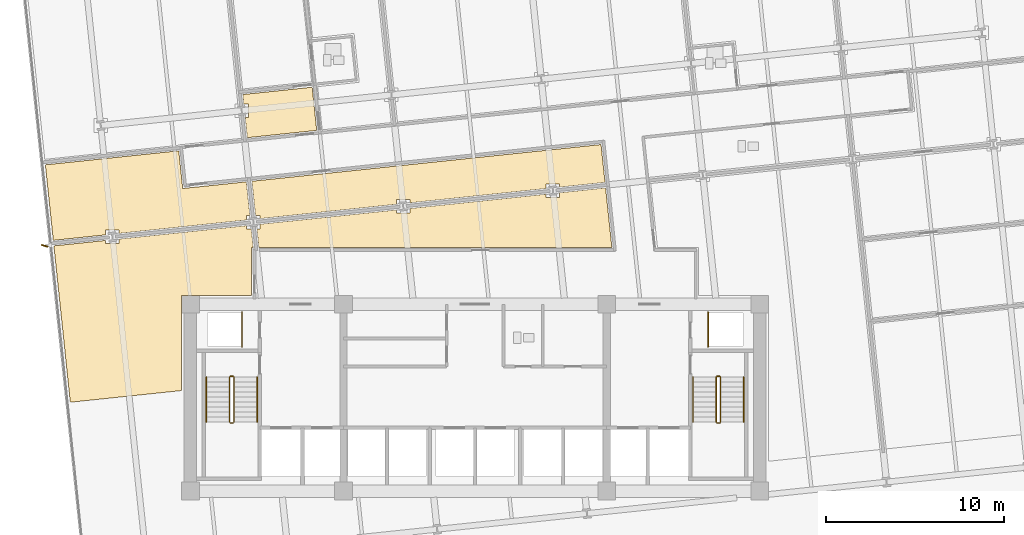
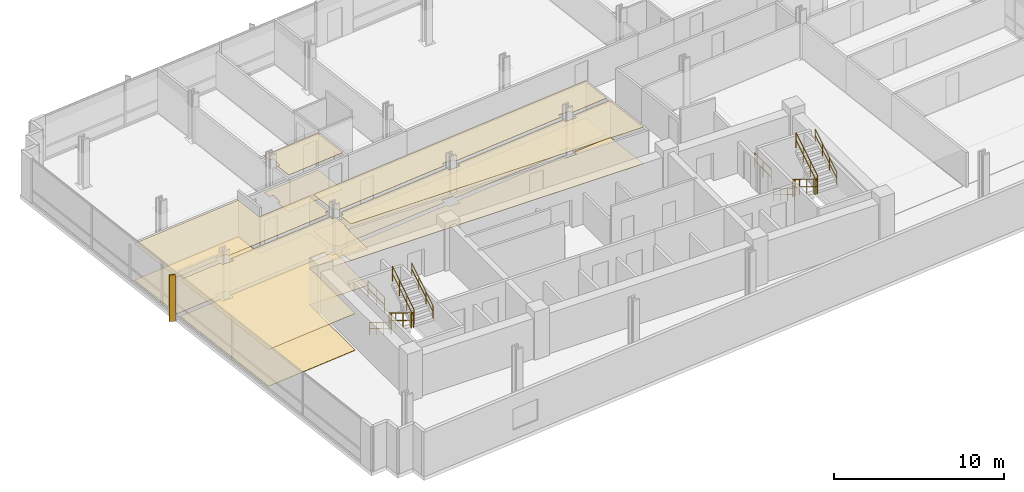
# One storey, part 17 of 21: 14 railings, 10 coverings, 1 shading device.
"""IFC4 building model written with IfcOpenShell, lengths in metres."""

from ifc_helpers import new_model, si_unit, direction, frame, origin, origin_2d, place, context, subcontext, project, spatial, polyline, rectangle, circle, outline, extrude, material, layer, layer_set, type_object, element, save


model = new_model("IFC4")

# Units and contexts
model_context = context("Model", 3, precision=1e-05, world=origin(), true_north=direction((0.0, 1.0)))
body_context = subcontext(model_context, "Body", "Model", "MODEL_VIEW")
ifc_project = project(units=[si_unit("LENGTHUNIT", "METRE"), si_unit("AREAUNIT", "SQUARE_METRE"), si_unit("VOLUMEUNIT", "CUBIC_METRE"), si_unit("PLANEANGLEUNIT", "RADIAN"), si_unit("MASSUNIT", "GRAM", prefix="KILO")], contexts=[model_context])

# Site, building, storey
site_placement = place(None, origin())
site = spatial("IfcSite", under=ifc_project, at=site_placement, CompositionType="ELEMENT")
building_placement = place(site_placement, origin())
building = spatial("IfcBuilding", under=site, at=building_placement, Name="Solmavex Isthmus Hotel", CompositionType="ELEMENT")
storey_placement = place(building_placement, frame((0.0, 0.0, 106.35009765625)))
storey = spatial("IfcBuildingStorey", under=building, at=storey_placement, Name="L28", CompositionType="ELEMENT", Elevation=106.35009765625)

# Coverings
ifc_material_1 = material(Name="Gypsum plasterboard lining", Category="gypsum")
ifc_layer_1 = layer(ifc_material_1, 0.030029296875)
ifc_layer_set_1 = layer_set([ifc_layer_1], Name="Gypsum plasterboard lining")
covering_type_1 = type_object("IfcCoveringType", Name="COV-CEIL-GYP", PredefinedType="CEILING", material=ifc_layer_set_1)
covering_1_placement = place(storey_placement, frame((0.0, 0.0, 2.619873046875)))
element("IfcCovering", 1, at=covering_1_placement, inside=storey, type_object=covering_type_1, Name="Suspended Acoustic Ceiling L28-SL02-FY", PredefinedType="CEILING", context=body_context, shape_type="SweptSolid", body=[
    extrude(outline(polyline([(-13.001220703125, 8.76220703125), (-12.737060546875, 8.76220703125), (-12.737060546875, 8.002197265625), (-12.92138671875, 8.002197265625), (-12.8017578125, 6.86376953125), (-8.900146484375, 7.27392578125), (-9.1552734375, 9.700439453125), (-13.056640625, 9.29052734375), (-13.001220703125, 8.76220703125)])), origin(), (0.0, 0.0, 1.0), 0.030029296875),
])
covering_2_placement = place(storey_placement, frame((0.0, 0.0, 2.619873046875)))
element("IfcCovering", 2, at=covering_2_placement, inside=storey, type_object=covering_type_1, Name="Suspended Acoustic Ceiling L28-FL07", PredefinedType="CEILING", context=body_context, shape_type="SweptSolid", body=[
    extrude(outline(polyline([(-12.8388671875, 2.234619140625), (-12.8388671875, 2.49853515625), (-12.654541015625, 2.49853515625), (-12.852783203125, 4.384765625), (-16.43310546875, 4.008544921875), (-16.65576171875, 6.126953125), (-24.15234375, 5.3388671875), (-23.7060546875, 1.09228515625), (-20.76318359375, 1.401611328125), (-20.76318359375, 1.665771484375), (-20.003173828125, 1.665771484375), (-20.003173828125, 1.4814453125), (-12.8388671875, 2.234619140625)])), origin(), (0.0, 0.0, 1.0), 0.030029296875),
])
covering_3_placement = place(storey_placement, frame((0.0, 0.0, 2.619873046875)))
element("IfcCovering", 3, at=covering_3_placement, inside=storey, type_object=covering_type_1, Name="Suspended Acoustic Ceiling L28-FL09", PredefinedType="CEILING", context=body_context, shape_type="SweptSolid", body=[
    extrude(outline(polyline([(4.00048828125, 4.00439453125), (4.00048828125, 4.2685546875), (4.760498046875, 4.2685546875), (4.760498046875, 4.084228515625), (7.30615234375, 4.351806640625), (7.082275390625, 6.480224609375), (-12.54443359375, 4.417236328125), (-12.3427734375, 2.49853515625), (-12.078857421875, 2.49853515625), (-12.078857421875, 2.314453125), (-4.419189453125, 3.119384765625), (-4.419189453125, 3.383544921875), (-3.6591796875, 3.383544921875), (-3.6591796875, 3.199462890625), (4.00048828125, 4.00439453125)])), origin(), (0.0, 0.0, 1.0), 0.030029296875),
])
covering_4_placement = place(storey_placement, frame((0.0, 0.0, 2.619873046875)))
element("IfcCovering", 4, at=covering_4_placement, inside=storey, type_object=covering_type_1, Name="Suspended Acoustic Ceiling L28-FL12", PredefinedType="CEILING", context=body_context, shape_type="SweptSolid", body=[
    extrude(outline(polyline([(-12.078857421875, 2.002685546875), (-12.078857421875, 1.738525390625), (-12.262939453125, 1.738525390625), (-12.154296875, 0.705078125), (7.689453125, 0.705078125), (7.33837890625, 4.04345703125), (4.760498046875, 3.7724609375), (4.760498046875, 3.508544921875), (4.00048828125, 3.508544921875), (4.00048828125, 3.692626953125), (-3.6591796875, 2.8876953125), (-3.6591796875, 2.62353515625), (-4.419189453125, 2.62353515625), (-4.419189453125, 2.807861328125), (-12.078857421875, 2.002685546875)])), origin(), (0.0, 0.0, 1.0), 0.030029296875),
])
covering_5_placement = place(storey_placement, frame((0.0, 0.0, 2.619873046875)))
element("IfcCovering", 5, at=covering_5_placement, inside=storey, type_object=covering_type_1, Name="Suspended Acoustic Ceiling L28-FL13", PredefinedType="CEILING", context=body_context, shape_type="SweptSolid", body=[
    extrude(outline(polyline([(-20.003173828125, 1.169921875), (-20.003173828125, 0.90576171875), (-20.76318359375, 0.90576171875), (-20.76318359375, 1.08984375), (-23.673583984375, 0.783935546875), (-23.21435546875, -3.5869140625), (-22.749755859375, -8.007568359375), (-16.5048828125, -7.351318359375), (-16.5048828125, -1.9951171875), (-12.554931640625, -1.9951171875), (-12.554931640625, 0.705078125), (-12.466064453125, 0.705078125), (-12.57470703125, 1.738525390625), (-12.8388671875, 1.738525390625), (-12.8388671875, 1.9228515625), (-20.003173828125, 1.169921875)])), origin(), (0.0, 0.0, 1.0), 0.030029296875),
])
ifc_material_2 = material(Name="Travertine natural stone", Category="masonry")
ifc_layer_2 = layer(ifc_material_2, 0.02490234375)
ifc_layer_set_2 = layer_set([ifc_layer_2], Name="Travertine natural stone")
covering_type_2 = type_object("IfcCoveringType", Name="COV-FLOR-STN", PredefinedType="FLOORING", material=ifc_layer_set_2)
covering_6_placement = place(storey_placement, origin())
element("IfcCovering", 6, at=covering_6_placement, inside=storey, type_object=covering_type_2, Name="Stone and Timber Floor Finish L28-SL02-FY", PredefinedType="FLOORING", context=body_context, shape_type="SweptSolid", body=[
    extrude(outline(polyline([(-13.001220703125, 8.76220703125), (-12.737060546875, 8.76220703125), (-12.737060546875, 8.002197265625), (-12.92138671875, 8.002197265625), (-12.8017578125, 6.86376953125), (-8.900146484375, 7.27392578125), (-9.1552734375, 9.700439453125), (-13.056640625, 9.29052734375), (-13.001220703125, 8.76220703125)])), origin(), (0.0, 0.0, 1.0), 0.02490234375),
])
covering_7_placement = place(storey_placement, origin())
element("IfcCovering", 7, at=covering_7_placement, inside=storey, type_object=covering_type_2, Name="Stone and Timber Floor Finish L28-FL07", PredefinedType="FLOORING", context=body_context, shape_type="SweptSolid", body=[
    extrude(outline(polyline([(-12.8388671875, 2.234619140625), (-12.8388671875, 2.49853515625), (-12.654541015625, 2.49853515625), (-12.852783203125, 4.384765625), (-16.43310546875, 4.008544921875), (-16.65576171875, 6.126953125), (-24.15234375, 5.3388671875), (-23.7060546875, 1.09228515625), (-20.76318359375, 1.401611328125), (-20.76318359375, 1.665771484375), (-20.003173828125, 1.665771484375), (-20.003173828125, 1.4814453125), (-12.8388671875, 2.234619140625)])), origin(), (0.0, 0.0, 1.0), 0.02490234375),
])
covering_8_placement = place(storey_placement, origin())
element("IfcCovering", 8, at=covering_8_placement, inside=storey, type_object=covering_type_2, Name="Stone and Timber Floor Finish L28-FL09", PredefinedType="FLOORING", context=body_context, shape_type="SweptSolid", body=[
    extrude(outline(polyline([(4.00048828125, 4.00439453125), (4.00048828125, 4.2685546875), (4.760498046875, 4.2685546875), (4.760498046875, 4.084228515625), (7.30615234375, 4.351806640625), (7.082275390625, 6.480224609375), (-12.54443359375, 4.417236328125), (-12.3427734375, 2.49853515625), (-12.078857421875, 2.49853515625), (-12.078857421875, 2.314453125), (-4.419189453125, 3.119384765625), (-4.419189453125, 3.383544921875), (-3.6591796875, 3.383544921875), (-3.6591796875, 3.199462890625), (4.00048828125, 4.00439453125)])), origin(), (0.0, 0.0, 1.0), 0.02490234375),
])
covering_9_placement = place(storey_placement, origin())
element("IfcCovering", 9, at=covering_9_placement, inside=storey, type_object=covering_type_2, Name="Stone and Timber Floor Finish L28-FL12", PredefinedType="FLOORING", context=body_context, shape_type="SweptSolid", body=[
    extrude(outline(polyline([(-12.078857421875, 2.002685546875), (-12.078857421875, 1.738525390625), (-12.262939453125, 1.738525390625), (-12.154296875, 0.705078125), (7.689453125, 0.705078125), (7.33837890625, 4.04345703125), (4.760498046875, 3.7724609375), (4.760498046875, 3.508544921875), (4.00048828125, 3.508544921875), (4.00048828125, 3.692626953125), (-3.6591796875, 2.8876953125), (-3.6591796875, 2.62353515625), (-4.419189453125, 2.62353515625), (-4.419189453125, 2.807861328125), (-12.078857421875, 2.002685546875)])), origin(), (0.0, 0.0, 1.0), 0.02490234375),
])
covering_10_placement = place(storey_placement, origin())
element("IfcCovering", 10, at=covering_10_placement, inside=storey, type_object=covering_type_2, Name="Stone and Timber Floor Finish L28-FL13", PredefinedType="FLOORING", context=body_context, shape_type="SweptSolid", body=[
    extrude(outline(polyline([(-20.003173828125, 1.169921875), (-20.003173828125, 0.90576171875), (-20.76318359375, 0.90576171875), (-20.76318359375, 1.08984375), (-23.673583984375, 0.783935546875), (-23.21435546875, -3.5869140625), (-22.749755859375, -8.007568359375), (-16.5048828125, -7.351318359375), (-16.5048828125, -1.9951171875), (-12.554931640625, -1.9951171875), (-12.554931640625, 0.705078125), (-12.466064453125, 0.705078125), (-12.57470703125, 1.738525390625), (-12.8388671875, 1.738525390625), (-12.8388671875, 1.9228515625), (-20.003173828125, 1.169921875)])), origin(), (0.0, 0.0, 1.0), 0.02490234375),
])

# Railings
ifc_material_3 = material(Name="Clear low-E laminated glass", Category="glass")
ifc_layer_3 = layer(ifc_material_3, 0.080078125)
ifc_layer_set_3 = layer_set([ifc_layer_3], Name="Clear low-E laminated glass")
railing_type_1 = type_object("IfcRailingType", Name="RAIL-ATRIUM-1120", PredefinedType="BALUSTRADE", material=ifc_layer_set_3)
for number, where, name in (
    (11, (-13.10009765625, -4.89990234375, 0.0), "Guardrail Balustrade L28-RSW-01"),
    (12, (13.10009765625, -4.89990234375, 0.0), "Guardrail Balustrade L28-RSE-01"),
):
    element("IfcRailing", number, at=place(storey_placement, frame(where)), inside=storey, type_object=railing_type_1, Name=name, PredefinedType="BALUSTRADE", context=body_context, shape_type="SweptSolid", body=[
        extrude(circle(Radius=0.02392578125, at=origin_2d()), frame((0.0, 0.0, 1.1259765625), z_axis=(0.0, 1.0, 0.0), x_axis=(-1.0, 0.0, 0.0)), (0.0, 0.0, 1.0), 1.949951171875),
        extrude(circle(Radius=0.02392578125, at=origin_2d()), frame((0.0, 0.0, 0.574951171875), z_axis=(0.0, 1.0, 0.0), x_axis=(-1.0, 0.0, 0.0)), (0.0, 0.0, 1.0), 1.949951171875),
        extrude(circle(Radius=0.02099609375, at=origin_2d()), origin(), (0.0, 0.0, 1.0), 1.101806640625),
        extrude(circle(Radius=0.02099609375, at=origin_2d()), frame((0.0, 0.97509765625, 0.0)), (0.0, 0.0, 1.0), 1.101806640625),
        extrude(circle(Radius=0.02099609375, at=origin_2d()), frame((0.0, 1.949951171875, 0.0)), (0.0, 0.0, 1.0), 1.101806640625),
    ])
ifc_material_4 = material(Name="Stainless steel 316", Category="steel")
ifc_layer_4 = layer(ifc_material_4, 0.06005859375)
ifc_layer_set_4 = layer_set([ifc_layer_4], Name="Stainless steel 316")
railing_type_2 = type_object("IfcRailingType", Name="RAIL-STAIR-GD", PredefinedType="GUARDRAIL", material=ifc_layer_set_4)
railing_1_placement = place(storey_placement, frame((-13.800048828125, -6.60009765625, 0.17236328125)))
element("IfcRailing", 13, at=railing_1_placement, inside=storey, type_object=railing_type_2, Name="L28 ST-1 stair guard 1", PredefinedType="GUARDRAIL", context=body_context, shape_type="SweptSolid", body=[
    extrude(circle(Radius=0.02392578125, at=origin_2d()), frame((0.0, 0.0, 1.09619140625), z_axis=(0.0, -0.851400495292, 0.524516154772), x_axis=(1.0, 0.0, 0.0)), (0.0, 0.0, 1.0), 2.9599609375),
    extrude(circle(Radius=0.02392578125, at=origin_2d()), frame((0.0, 0.0, 0.56005859375), z_axis=(0.0, -0.851400495292, 0.524516154772), x_axis=(1.0, 0.0, 0.0)), (0.0, 0.0, 1.0), 2.9599609375),
    extrude(circle(Radius=0.02099609375, at=origin_2d()), origin(), (0.0, 0.0, 1.0), 1.072021484375),
    extrude(circle(Radius=0.02099609375, at=origin_2d()), frame((0.0, -0.840087890625, 0.517578125)), (0.0, 0.0, 1.0), 1.072021484375),
    extrude(circle(Radius=0.02099609375, at=origin_2d()), frame((0.0, -1.679931640625, 1.034912109375)), (0.0, 0.0, 1.0), 1.072021484375),
    extrude(circle(Radius=0.02099609375, at=origin_2d()), frame((0.0, -2.52001953125, 1.552490234375)), (0.0, 0.0, 1.0), 1.072021484375),
])
railing_2_placement = place(storey_placement, frame((-13.75, -9.169921875, 1.724853515625)))
element("IfcRailing", 14, at=railing_2_placement, inside=storey, type_object=railing_type_2, Name="L28 ST-1 stair guard 2", PredefinedType="GUARDRAIL", context=body_context, shape_type="SweptSolid", body=[
    extrude(circle(Radius=0.02392578125, at=origin_2d()), frame((0.0, 0.0, 1.09619140625), z_axis=(1.0, 0.0, 0.0), x_axis=(0.0, 1.0, 0.0)), (0.0, 0.0, 1.0), 0.14990234375),
    extrude(circle(Radius=0.02392578125, at=origin_2d()), frame((0.0, 0.0, 0.56005859375), z_axis=(1.0, 0.0, 0.0), x_axis=(0.0, 1.0, 0.0)), (0.0, 0.0, 1.0), 0.14990234375),
    extrude(circle(Radius=0.02099609375, at=origin_2d()), origin(), (0.0, 0.0, 1.0), 1.072021484375),
    extrude(circle(Radius=0.02099609375, at=origin_2d()), frame((0.14990234375, 0.0, 0.0)), (0.0, 0.0, 1.0), 1.072021484375),
])
railing_3_placement = place(storey_placement, frame((-13.550048828125, -9.1201171875, 1.8974609375)))
element("IfcRailing", 15, at=railing_3_placement, inside=storey, type_object=railing_type_2, Name="L28 ST-1 stair guard 3", PredefinedType="GUARDRAIL", context=body_context, shape_type="SweptSolid", body=[
    extrude(circle(Radius=0.02392578125, at=origin_2d()), frame((0.0, 0.0, 1.09619140625), z_axis=(0.0, 0.851400495292, 0.524516154772), x_axis=(-1.0, 0.0, 0.0)), (0.0, 0.0, 1.0), 2.9599609375),
    extrude(circle(Radius=0.02392578125, at=origin_2d()), frame((0.0, 0.0, 0.56005859375), z_axis=(0.0, 0.851400495292, 0.524516154772), x_axis=(-1.0, 0.0, 0.0)), (0.0, 0.0, 1.0), 2.9599609375),
    extrude(circle(Radius=0.02099609375, at=origin_2d()), origin(), (0.0, 0.0, 1.0), 1.072021484375),
    extrude(circle(Radius=0.02099609375, at=origin_2d()), frame((0.0, 0.840087890625, 0.517578125)), (0.0, 0.0, 1.0), 1.072021484375),
    extrude(circle(Radius=0.02099609375, at=origin_2d()), frame((0.0, 1.679931640625, 1.034912109375)), (0.0, 0.0, 1.0), 1.072021484375),
    extrude(circle(Radius=0.02099609375, at=origin_2d()), frame((0.0, 2.52001953125, 1.552490234375)), (0.0, 0.0, 1.0), 1.072021484375),
])
railing_4_placement = place(storey_placement, frame((-13.75, -6.550048828125, 0.0)))
element("IfcRailing", 16, at=railing_4_placement, inside=storey, type_object=railing_type_2, Name="L28 ST-1 stair guard 4", PredefinedType="GUARDRAIL", context=body_context, shape_type="SweptSolid", body=[
    extrude(circle(Radius=0.02392578125, at=origin_2d()), frame((0.0, 0.0, 1.09619140625), z_axis=(1.0, 0.0, 0.0), x_axis=(0.0, 1.0, 0.0)), (0.0, 0.0, 1.0), 0.14990234375),
    extrude(circle(Radius=0.02392578125, at=origin_2d()), frame((0.0, 0.0, 0.56005859375), z_axis=(1.0, 0.0, 0.0), x_axis=(0.0, 1.0, 0.0)), (0.0, 0.0, 1.0), 0.14990234375),
    extrude(circle(Radius=0.02099609375, at=origin_2d()), origin(), (0.0, 0.0, 1.0), 1.072021484375),
    extrude(circle(Radius=0.02099609375, at=origin_2d()), frame((0.14990234375, 0.0, 0.0)), (0.0, 0.0, 1.0), 1.072021484375),
])
railing_5_placement = place(storey_placement, frame((13.550048828125, -6.60009765625, 0.17236328125)))
element("IfcRailing", 17, at=railing_5_placement, inside=storey, type_object=railing_type_2, Name="L28 ST-2 stair guard 1", PredefinedType="GUARDRAIL", context=body_context, shape_type="SweptSolid", body=[
    extrude(circle(Radius=0.02392578125, at=origin_2d()), frame((0.0, 0.0, 1.09619140625), z_axis=(0.0, -0.851400495292, 0.524516154772), x_axis=(1.0, 0.0, 0.0)), (0.0, 0.0, 1.0), 2.9599609375),
    extrude(circle(Radius=0.02392578125, at=origin_2d()), frame((0.0, 0.0, 0.56005859375), z_axis=(0.0, -0.851400495292, 0.524516154772), x_axis=(1.0, 0.0, 0.0)), (0.0, 0.0, 1.0), 2.9599609375),
    extrude(circle(Radius=0.02099609375, at=origin_2d()), origin(), (0.0, 0.0, 1.0), 1.072021484375),
    extrude(circle(Radius=0.02099609375, at=origin_2d()), frame((0.0, -0.840087890625, 0.517578125)), (0.0, 0.0, 1.0), 1.072021484375),
    extrude(circle(Radius=0.02099609375, at=origin_2d()), frame((0.0, -1.679931640625, 1.034912109375)), (0.0, 0.0, 1.0), 1.072021484375),
    extrude(circle(Radius=0.02099609375, at=origin_2d()), frame((0.0, -2.52001953125, 1.552490234375)), (0.0, 0.0, 1.0), 1.072021484375),
])
railing_6_placement = place(storey_placement, frame((13.60009765625, -9.169921875, 1.724853515625)))
element("IfcRailing", 18, at=railing_6_placement, inside=storey, type_object=railing_type_2, Name="L28 ST-2 stair guard 2", PredefinedType="GUARDRAIL", context=body_context, shape_type="SweptSolid", body=[
    extrude(circle(Radius=0.02392578125, at=origin_2d()), frame((0.0, 0.0, 1.09619140625), z_axis=(1.0, 0.0, 0.0), x_axis=(0.0, 1.0, 0.0)), (0.0, 0.0, 1.0), 0.14990234375),
    extrude(circle(Radius=0.02392578125, at=origin_2d()), frame((0.0, 0.0, 0.56005859375), z_axis=(1.0, 0.0, 0.0), x_axis=(0.0, 1.0, 0.0)), (0.0, 0.0, 1.0), 0.14990234375),
    extrude(circle(Radius=0.02099609375, at=origin_2d()), origin(), (0.0, 0.0, 1.0), 1.072021484375),
    extrude(circle(Radius=0.02099609375, at=origin_2d()), frame((0.14990234375, 0.0, 0.0)), (0.0, 0.0, 1.0), 1.072021484375),
])
railing_7_placement = place(storey_placement, frame((13.800048828125, -9.1201171875, 1.8974609375)))
element("IfcRailing", 19, at=railing_7_placement, inside=storey, type_object=railing_type_2, Name="L28 ST-2 stair guard 3", PredefinedType="GUARDRAIL", context=body_context, shape_type="SweptSolid", body=[
    extrude(circle(Radius=0.02392578125, at=origin_2d()), frame((0.0, 0.0, 1.09619140625), z_axis=(0.0, 0.851400495292, 0.524516154772), x_axis=(-1.0, 0.0, 0.0)), (0.0, 0.0, 1.0), 2.9599609375),
    extrude(circle(Radius=0.02392578125, at=origin_2d()), frame((0.0, 0.0, 0.56005859375), z_axis=(0.0, 0.851400495292, 0.524516154772), x_axis=(-1.0, 0.0, 0.0)), (0.0, 0.0, 1.0), 2.9599609375),
    extrude(circle(Radius=0.02099609375, at=origin_2d()), origin(), (0.0, 0.0, 1.0), 1.072021484375),
    extrude(circle(Radius=0.02099609375, at=origin_2d()), frame((0.0, 0.840087890625, 0.517578125)), (0.0, 0.0, 1.0), 1.072021484375),
    extrude(circle(Radius=0.02099609375, at=origin_2d()), frame((0.0, 1.679931640625, 1.034912109375)), (0.0, 0.0, 1.0), 1.072021484375),
    extrude(circle(Radius=0.02099609375, at=origin_2d()), frame((0.0, 2.52001953125, 1.552490234375)), (0.0, 0.0, 1.0), 1.072021484375),
])
railing_8_placement = place(storey_placement, frame((13.60009765625, -6.550048828125, 0.0)))
element("IfcRailing", 20, at=railing_8_placement, inside=storey, type_object=railing_type_2, Name="L28 ST-2 stair guard 4", PredefinedType="GUARDRAIL", context=body_context, shape_type="SweptSolid", body=[
    extrude(circle(Radius=0.02392578125, at=origin_2d()), frame((0.0, 0.0, 1.09619140625), z_axis=(1.0, 0.0, 0.0), x_axis=(0.0, 1.0, 0.0)), (0.0, 0.0, 1.0), 0.14990234375),
    extrude(circle(Radius=0.02392578125, at=origin_2d()), frame((0.0, 0.0, 0.56005859375), z_axis=(1.0, 0.0, 0.0), x_axis=(0.0, 1.0, 0.0)), (0.0, 0.0, 1.0), 0.14990234375),
    extrude(circle(Radius=0.02099609375, at=origin_2d()), origin(), (0.0, 0.0, 1.0), 1.072021484375),
    extrude(circle(Radius=0.02099609375, at=origin_2d()), frame((0.14990234375, 0.0, 0.0)), (0.0, 0.0, 1.0), 1.072021484375),
])
ifc_layer_5 = layer(ifc_material_4, 0.050048828125)
ifc_layer_set_5 = layer_set([ifc_layer_5], Name="Stainless steel 316")
railing_type_3 = type_object("IfcRailingType", Name="RAIL-STAIR-HR", PredefinedType="HANDRAIL", material=ifc_layer_set_5)
railing_9_placement = place(storey_placement, frame((-15.10009765625, -6.60009765625, 0.17236328125)))
element("IfcRailing", 21, at=railing_9_placement, inside=storey, type_object=railing_type_3, Name="L28 ST-1 stair handrail 1", PredefinedType="HANDRAIL", context=body_context, shape_type="SweptSolid", body=[
    extrude(circle(Radius=0.02392578125, at=origin_2d()), frame((0.0, 0.0, 0.8759765625), z_axis=(0.0, -0.851400495292, 0.524516154772), x_axis=(1.0, 0.0, 0.0)), (0.0, 0.0, 1.0), 2.9599609375),
    extrude(circle(Radius=0.02392578125, at=origin_2d()), frame((0.0, 0.0, 0.449951171875), z_axis=(0.0, -0.851400495292, 0.524516154772), x_axis=(1.0, 0.0, 0.0)), (0.0, 0.0, 1.0), 2.9599609375),
    extrude(circle(Radius=0.02099609375, at=origin_2d()), origin(), (0.0, 0.0, 1.0), 0.851806640625),
    extrude(circle(Radius=0.02099609375, at=origin_2d()), frame((0.0, -0.840087890625, 0.517578125)), (0.0, 0.0, 1.0), 0.851806640625),
    extrude(circle(Radius=0.02099609375, at=origin_2d()), frame((0.0, -1.679931640625, 1.034912109375)), (0.0, 0.0, 1.0), 0.851806640625),
    extrude(circle(Radius=0.02099609375, at=origin_2d()), frame((0.0, -2.52001953125, 1.552490234375)), (0.0, 0.0, 1.0), 0.851806640625),
])
railing_10_placement = place(storey_placement, frame((-12.25, -9.1201171875, 1.8974609375)))
element("IfcRailing", 22, at=railing_10_placement, inside=storey, type_object=railing_type_3, Name="L28 ST-1 stair handrail 2", PredefinedType="HANDRAIL", context=body_context, shape_type="SweptSolid", body=[
    extrude(circle(Radius=0.02392578125, at=origin_2d()), frame((0.0, 0.0, 0.8759765625), z_axis=(0.0, 0.851400495292, 0.524516154772), x_axis=(-1.0, 0.0, 0.0)), (0.0, 0.0, 1.0), 2.9599609375),
    extrude(circle(Radius=0.02392578125, at=origin_2d()), frame((0.0, 0.0, 0.449951171875), z_axis=(0.0, 0.851400495292, 0.524516154772), x_axis=(-1.0, 0.0, 0.0)), (0.0, 0.0, 1.0), 2.9599609375),
    extrude(circle(Radius=0.02099609375, at=origin_2d()), origin(), (0.0, 0.0, 1.0), 0.851806640625),
    extrude(circle(Radius=0.02099609375, at=origin_2d()), frame((0.0, 0.840087890625, 0.517578125)), (0.0, 0.0, 1.0), 0.851806640625),
    extrude(circle(Radius=0.02099609375, at=origin_2d()), frame((0.0, 1.679931640625, 1.034912109375)), (0.0, 0.0, 1.0), 0.851806640625),
    extrude(circle(Radius=0.02099609375, at=origin_2d()), frame((0.0, 2.52001953125, 1.552490234375)), (0.0, 0.0, 1.0), 0.851806640625),
])
railing_11_placement = place(storey_placement, frame((12.25, -6.60009765625, 0.17236328125)))
element("IfcRailing", 23, at=railing_11_placement, inside=storey, type_object=railing_type_3, Name="L28 ST-2 stair handrail 1", PredefinedType="HANDRAIL", context=body_context, shape_type="SweptSolid", body=[
    extrude(circle(Radius=0.02392578125, at=origin_2d()), frame((0.0, 0.0, 0.8759765625), z_axis=(0.0, -0.851400495292, 0.524516154772), x_axis=(1.0, 0.0, 0.0)), (0.0, 0.0, 1.0), 2.9599609375),
    extrude(circle(Radius=0.02392578125, at=origin_2d()), frame((0.0, 0.0, 0.449951171875), z_axis=(0.0, -0.851400495292, 0.524516154772), x_axis=(1.0, 0.0, 0.0)), (0.0, 0.0, 1.0), 2.9599609375),
    extrude(circle(Radius=0.02099609375, at=origin_2d()), origin(), (0.0, 0.0, 1.0), 0.851806640625),
    extrude(circle(Radius=0.02099609375, at=origin_2d()), frame((0.0, -0.840087890625, 0.517578125)), (0.0, 0.0, 1.0), 0.851806640625),
    extrude(circle(Radius=0.02099609375, at=origin_2d()), frame((0.0, -1.679931640625, 1.034912109375)), (0.0, 0.0, 1.0), 0.851806640625),
    extrude(circle(Radius=0.02099609375, at=origin_2d()), frame((0.0, -2.52001953125, 1.552490234375)), (0.0, 0.0, 1.0), 0.851806640625),
])
railing_12_placement = place(storey_placement, frame((15.10009765625, -9.1201171875, 1.8974609375)))
element("IfcRailing", 24, at=railing_12_placement, inside=storey, type_object=railing_type_3, Name="L28 ST-2 stair handrail 2", PredefinedType="HANDRAIL", context=body_context, shape_type="SweptSolid", body=[
    extrude(circle(Radius=0.02392578125, at=origin_2d()), frame((0.0, 0.0, 0.8759765625), z_axis=(0.0, 0.851400495292, 0.524516154772), x_axis=(-1.0, 0.0, 0.0)), (0.0, 0.0, 1.0), 2.9599609375),
    extrude(circle(Radius=0.02392578125, at=origin_2d()), frame((0.0, 0.0, 0.449951171875), z_axis=(0.0, 0.851400495292, 0.524516154772), x_axis=(-1.0, 0.0, 0.0)), (0.0, 0.0, 1.0), 2.9599609375),
    extrude(circle(Radius=0.02099609375, at=origin_2d()), origin(), (0.0, 0.0, 1.0), 0.851806640625),
    extrude(circle(Radius=0.02099609375, at=origin_2d()), frame((0.0, 0.840087890625, 0.517578125)), (0.0, 0.0, 1.0), 0.851806640625),
    extrude(circle(Radius=0.02099609375, at=origin_2d()), frame((0.0, 1.679931640625, 1.034912109375)), (0.0, 0.0, 1.0), 0.851806640625),
    extrude(circle(Radius=0.02099609375, at=origin_2d()), frame((0.0, 2.52001953125, 1.552490234375)), (0.0, 0.0, 1.0), 0.851806640625),
])

# Shading device
ifc_material_5 = material(Name="Aluminium alloy 6063-T6", Category="aluminium")
shading_device_type = type_object("IfcShadingDeviceType", Name="SHD-FIN-CHAMP", PredefinedType="USERDEFINED", material=ifc_material_5)
shading_device_placement = place(storey_placement, frame((-24.191650390625, 0.784912109375, -0.14013671875), z_axis=(0.0, 0.0, 1.0), x_axis=(-0.951056516295, 0.309016994375, 0.0)))
element("IfcShadingDevice", 25, at=shading_device_placement, inside=storey, type_object=shading_device_type, Name="Anodised Aluminium Solar Fin L28-W1", ObjectType="SOLAR_FIN", PredefinedType="USERDEFINED", context=body_context, shape_type="SweptSolid", body=[
    extrude(rectangle(XDim=0.3798828125, YDim=0.070068359375, at=origin_2d()), origin(), (0.0, 0.0, 1.0), 3.330078125),
])

save(model, "model.ifc")
